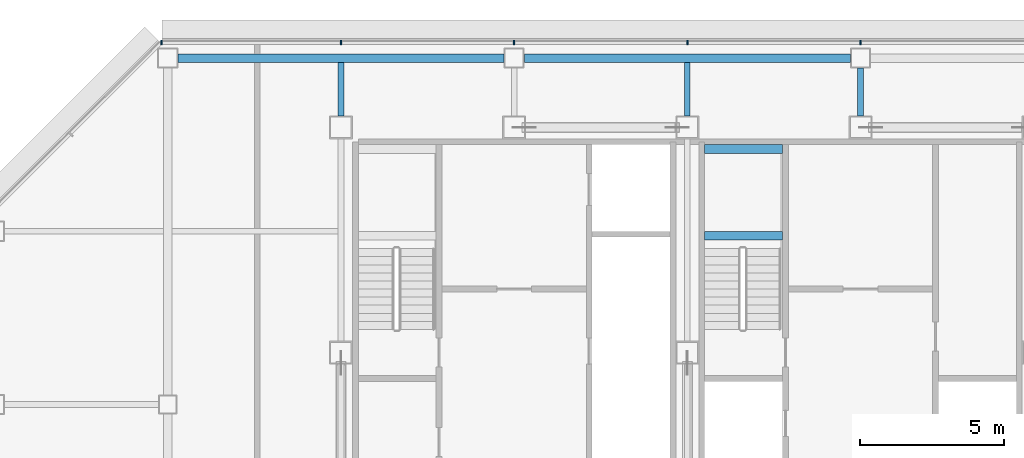
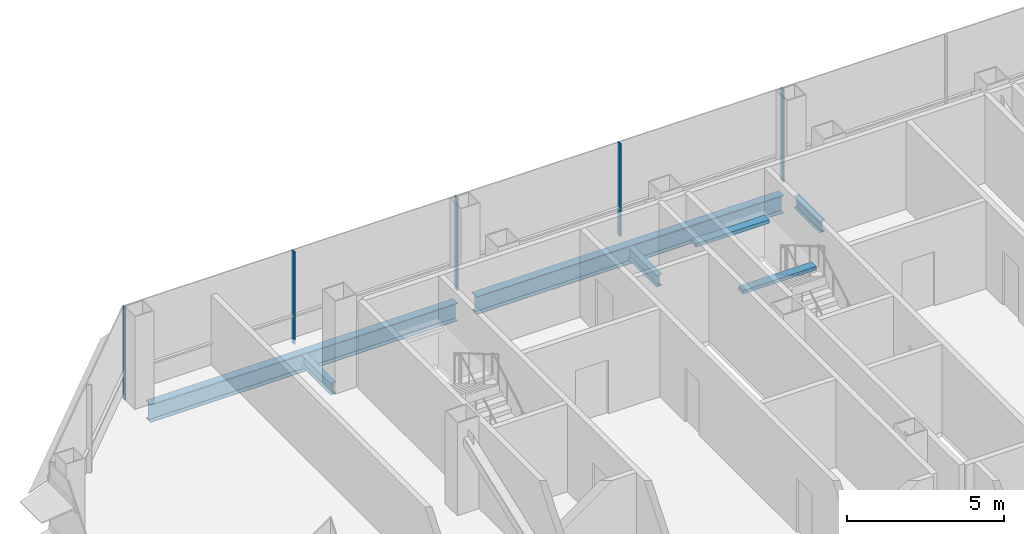
# One storey, part 12 of 24: 7 beams, 5 members, 1 element without a shape of its own.
"""IFC4 building model written with IfcOpenShell, lengths in metres."""

from ifc_helpers import new_model, si_unit, direction, frame, origin, origin_2d, place, context, subcontext, project, spatial, rectangle, i_section, extrude, material, material_profile, profile_set, type_object, element, aggregate, save


model = new_model("IFC4")

# Units and contexts
model_context = context("Model", 3, precision=1e-05, world=origin(), true_north=direction((0.0, 1.0)))
body_context = subcontext(model_context, "Body", "Model", "MODEL_VIEW")
ifc_project = project(units=[si_unit("LENGTHUNIT", "METRE"), si_unit("AREAUNIT", "SQUARE_METRE"), si_unit("VOLUMEUNIT", "CUBIC_METRE"), si_unit("PLANEANGLEUNIT", "RADIAN"), si_unit("MASSUNIT", "GRAM", prefix="KILO")], contexts=[model_context])

# Site, building, storey
site_placement = place(None, origin())
site = spatial("IfcSite", under=ifc_project, at=site_placement, CompositionType="ELEMENT")
building_placement = place(site_placement, origin())
building = spatial("IfcBuilding", under=site, at=building_placement, Name="Sorahane Residences", CompositionType="ELEMENT")
storey_placement = place(building_placement, frame((0.0, 0.0, 174.39990234375)))
storey = spatial("IfcBuildingStorey", under=building, at=storey_placement, Name="L40", CompositionType="ELEMENT", Elevation=174.39990234375)

# Curtain wall, members
ifc_material_1 = material(Name="Dark low-e glass and black anodised aluminium", Category="aluminium")
curtain_wall_type = type_object("IfcCurtainWallType", Name="Curtain wall CW-1 Typical unitised wall", PredefinedType="NOTDEFINED", material=ifc_material_1)
curtain_wall_placement = place(storey_placement, origin())
curtain_wall = element("IfcCurtainWall", 1, at=curtain_wall_placement, inside=storey, type_object=curtain_wall_type, Name="CW-1 curtain wall L40 N1", PredefinedType="NOTDEFINED")
ifc_material_2 = material(Name="Black anodised aluminium", Category="aluminium")
ifc_material_profile_1 = material_profile(ifc_material_2, rectangle(XDim=0.159912109375, YDim=0.050048828125, at=origin_2d()), Name="Curtain wall mullion CW-1 black anodised aluminium 50x160")
ifc_profile_set_1 = profile_set([ifc_material_profile_1], Name="Black anodised aluminium")
member_type = type_object("IfcMemberType", Name="Curtain wall mullion CW-1 black anodised aluminium 50x160", PredefinedType="MULLION", material=ifc_profile_set_1)
member_1_placement = place(storey_placement, frame((24.0, 48.5400390625, -0.179931640625), z_axis=(0.0, 0.0, 1.0), x_axis=(0.0, 1.0, 0.0)))
member_1 = element("IfcMember", 2, at=member_1_placement, type_object=member_type, Name="CW-1 mullion L40 N1.6", PredefinedType="MULLION", context=body_context, shape_type="SweptSolid", body=[
    extrude(rectangle(XDim=0.159912109375, YDim=0.050048828125, at=origin_2d()), origin(), (0.0, 0.0, 1.0), 3.60009765625),
])
member_2_placement = place(storey_placement, frame((18.0, 48.5400390625, -0.179931640625), z_axis=(0.0, 0.0, 1.0), x_axis=(0.0, 1.0, 0.0)))
member_2 = element("IfcMember", 3, at=member_2_placement, type_object=member_type, Name="CW-1 mullion L40 N1.7", PredefinedType="MULLION", context=body_context, shape_type="SweptSolid", body=[
    extrude(rectangle(XDim=0.159912109375, YDim=0.050048828125, at=origin_2d()), origin(), (0.0, 0.0, 1.0), 3.60009765625),
])
member_3_placement = place(storey_placement, frame((12.0, 48.5400390625, -0.179931640625), z_axis=(0.0, 0.0, 1.0), x_axis=(0.0, 1.0, 0.0)))
member_3 = element("IfcMember", 4, at=member_3_placement, type_object=member_type, Name="CW-1 mullion L40 N1.8", PredefinedType="MULLION", context=body_context, shape_type="SweptSolid", body=[
    extrude(rectangle(XDim=0.159912109375, YDim=0.050048828125, at=origin_2d()), origin(), (0.0, 0.0, 1.0), 3.60009765625),
])
member_4_placement = place(storey_placement, frame((6.0, 48.5400390625, -0.179931640625), z_axis=(0.0, 0.0, 1.0), x_axis=(0.0, 1.0, 0.0)))
member_4 = element("IfcMember", 5, at=member_4_placement, type_object=member_type, Name="CW-1 mullion L40 N1.9", PredefinedType="MULLION", context=body_context, shape_type="SweptSolid", body=[
    extrude(rectangle(XDim=0.159912109375, YDim=0.050048828125, at=origin_2d()), origin(), (0.0, 0.0, 1.0), 3.60009765625),
])
member_5_placement = place(storey_placement, frame((-0.2236328125, 48.5400390625, -0.179931640625), z_axis=(0.0, 0.0, 1.0), x_axis=(0.0, 1.0, 0.0)))
member_5 = element("IfcMember", 6, at=member_5_placement, type_object=member_type, Name="CW-1 mullion L40 N1.10", PredefinedType="MULLION", context=body_context, shape_type="SweptSolid", body=[
    extrude(rectangle(XDim=0.159912109375, YDim=0.050048828125, at=origin_2d()), origin(), (0.0, 0.0, 1.0), 3.60009765625),
])
aggregate(curtain_wall, [member_1, member_2, member_3, member_4, member_5])

# Beams
ifc_material_3 = material(Name="Concrete C40", Category="concrete")
ifc_material_profile_2 = material_profile(ifc_material_3, rectangle(XDim=0.300048828125, YDim=0.139892578125, at=origin_2d()), Name="300x140")
ifc_profile_set_2 = profile_set([ifc_material_profile_2], Name="Concrete C40")
beam_type_1 = type_object("IfcBeamType", Name="RC landing beam 300 x 140 Concrete C40", PredefinedType="BEAM", material=ifc_profile_set_2)
for number, where, z_axis, x_axis, name in (
    (7, (18.60009765625, 41.85009765625, 1.530029296875), (1.0, 0.0, 0.0), (0.0, 1.0, 0.0), "Landing beam"),
    (8, (18.60009765625, 44.85009765625, 1.530029296875), (1.0, 0.0, 0.0), (0.0, 1.0, 0.0), "Landing beam"),
):
    element("IfcBeam", number, at=place(storey_placement, frame(where, z_axis=z_axis, x_axis=x_axis)), inside=storey, type_object=beam_type_1, Name=name, PredefinedType="BEAM", context=body_context, shape_type="SweptSolid", body=[
        extrude(rectangle(XDim=0.300048828125, YDim=0.139892578125, at=origin_2d()), origin(), (0.0, 0.0, 1.0), 2.699951171875),
    ])
ifc_material_4 = material(Name="Steel Q355B", Category="steel")
ifc_material_profile_3 = material_profile(ifc_material_4, i_section(OverallWidth=0.199951171875, OverallDepth=0.449951171875, WebThickness=0.009033203125, FlangeThickness=0.013916015625, FilletRadius=0.02001953125, at=origin_2d()), Name="HN 450x200x9x14")
ifc_profile_set_3 = profile_set([ifc_material_profile_3], Name="Steel Q355B")
beam_type_2 = type_object("IfcBeamType", Name="Steel floor beam HN 450x200x9x14 Q355B", PredefinedType="BEAM", material=ifc_profile_set_3)
for number, where, z_axis, x_axis, name in (
    (9, (6.0, 46.0, -0.40478515625), (0.0, 1.0, 0.0), (-1.0, 0.0, 0.0), "Beam L40 033"),
    (10, (18.0, 46.0, -0.40478515625), (0.0, 1.0, 0.0), (-1.0, 0.0, 0.0), "Beam L40 041"),
):
    element("IfcBeam", number, at=place(storey_placement, frame(where, z_axis=z_axis, x_axis=x_axis)), inside=storey, type_object=beam_type_2, Name=name, PredefinedType="BEAM", context=body_context, shape_type="SweptSolid", body=[
        extrude(i_section(OverallWidth=0.199951171875, OverallDepth=0.449951171875, WebThickness=0.009033203125, FlangeThickness=0.013916015625, FilletRadius=0.02001953125, at=origin_2d()), origin(), (0.0, 0.0, 1.0), 1.85009765625),
    ])
beam_placement = place(storey_placement, frame((24.0, 46.0, -0.40478515625), z_axis=(0.0, 1.0, 0.0), x_axis=(-1.0, 0.0, 0.0)))
element("IfcBeam", 11, at=beam_placement, inside=storey, type_object=beam_type_2, Name="Beam L40 043", PredefinedType="BEAM", context=body_context, shape_type="SweptSolid", body=[
    extrude(i_section(OverallWidth=0.199951171875, OverallDepth=0.449951171875, WebThickness=0.009033203125, FlangeThickness=0.013916015625, FilletRadius=0.02001953125, at=origin_2d()), origin(), (0.0, 0.0, 1.0), 1.64990234375),
])
ifc_material_5 = material(Name="Steel Q355B", Category="steel")
ifc_material_profile_4 = material_profile(ifc_material_5, i_section(OverallWidth=0.300048828125, OverallDepth=0.699951171875, WebThickness=0.012939453125, FlangeThickness=0.02392578125, FilletRadius=0.028076171875, at=origin_2d()), Name="HN 700x300x13x24")
ifc_profile_set_4 = profile_set([ifc_material_profile_4], Name="Steel Q355B")
beam_type_3 = type_object("IfcBeamType", Name="Steel floor beam HN 700x300x13x24 Q355B", PredefinedType="BEAM", material=ifc_profile_set_4)
for number, where, z_axis, x_axis, name in (
    (12, (0.35009765625, 48.0, -0.52978515625), (1.0, 0.0, 0.0), (0.0, 1.0, 0.0), "Beam L40 015"),
    (13, (12.35009765625, 48.0, -0.52978515625), (1.0, 0.0, 0.0), (0.0, 1.0, 0.0), "Beam L40 016"),
):
    element("IfcBeam", number, at=place(storey_placement, frame(where, z_axis=z_axis, x_axis=x_axis)), inside=storey, type_object=beam_type_3, Name=name, PredefinedType="BEAM", context=body_context, shape_type="SweptSolid", body=[
        extrude(i_section(OverallWidth=0.300048828125, OverallDepth=0.699951171875, WebThickness=0.012939453125, FlangeThickness=0.02392578125, FilletRadius=0.028076171875, at=origin_2d()), origin(), (0.0, 0.0, 1.0), 11.2998046875),
    ])

save(model, "model.ifc")
